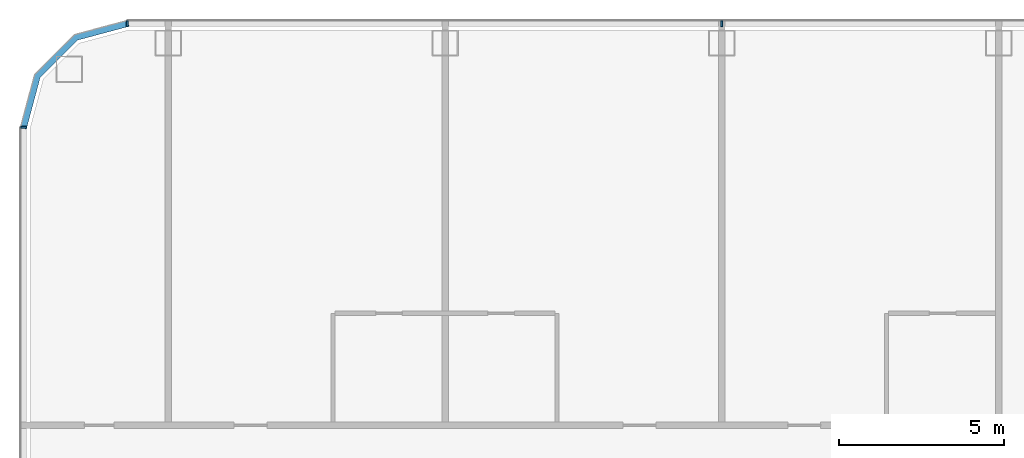
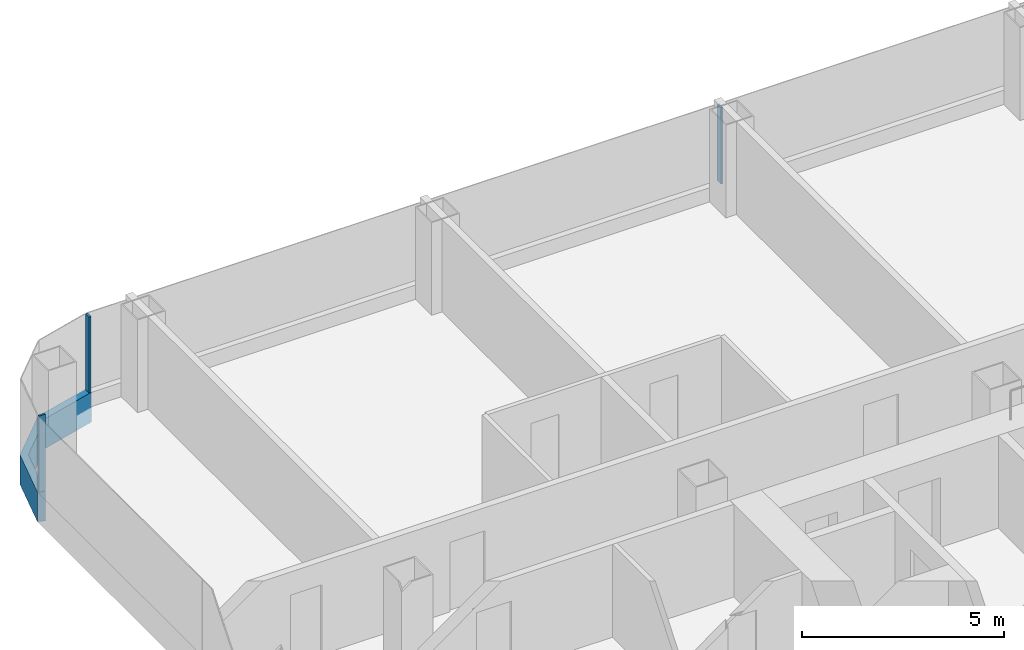
# One storey, part 7 of 29: 4 members, 3 elements without a shape of their own.
"""IFC4 building model written with IfcOpenShell, lengths in metres."""

import ifcopenshell
import ifcopenshell.guid

model = None  # the IFC model being written
_history = None  # IfcOwnerHistory: only IFC2X3 demands one
_inside = {}  # id of a spatial element -> (the spatial element, [elements in it])
_under = {}  # id of a project, library or spatial element -> (it, [spatial elements below it])
_declared = {}  # id of a project -> (the project, [libraries it declares])
_typed = {}  # id of a type object -> (the type object, [elements of that type])
_made_of = {}  # id of a material, layer set ... -> (it, [elements and type objects made of it])


def new_model(schema):
    """Start an empty IFC model of exactly this schema.

    Asked for "IFC4X3", IfcOpenShell would pick the latest addendum, in which some entities
    have other attributes; the version numbers below select the first issue.
    IFC2X3 requires an IfcOwnerHistory on every rooted entity: one is made here for all.
    """
    global model, _history
    if schema == "IFC4X3":
        model = ifcopenshell.file(schema_version=(4, 3, 0, 0))
    else:
        model = ifcopenshell.file(schema=schema)
    _inside.clear()
    _under.clear()
    _declared.clear()
    _typed.clear()
    _made_of.clear()
    _history = None
    if model.schema == "IFC2X3":
        org = make("IfcOrganization", Name="unknown")
        user = make(
            "IfcPersonAndOrganization",
            ThePerson=make("IfcPerson", FamilyName="unknown"),
            TheOrganization=org,
        )
        app = make(
            "IfcApplication",
            ApplicationDeveloper=org,
            Version="unknown",
            ApplicationFullName="unknown",
            ApplicationIdentifier="unknown",
        )
        _history = make(
            "IfcOwnerHistory",
            OwningUser=user,
            OwningApplication=app,
            ChangeAction="ADDED",
            CreationDate=0,
        )
    return model


def make(cls, **values):
    """One entity of the class cls with the attributes given. An attribute that is None is left unset."""
    return model.create_entity(
        cls, **{name: value for name, value in values.items() if value is not None}
    )


def rooted(cls, **values):
    """An entity with a GlobalId (a new one), such as an element, a storey or a relation."""
    return make(cls, GlobalId=ifcopenshell.guid.new(), OwnerHistory=_history, **values)


def si_unit(unit_type, name, prefix=None):
    """IfcSIUnit, for example si_unit("LENGTHUNIT", "METRE", prefix="MILLI")."""
    return make("IfcSIUnit", UnitType=unit_type, Prefix=prefix, Name=name)


def assignment(units):
    """IfcUnitAssignment: the units of a project."""
    return None if units is None else make("IfcUnitAssignment", Units=units)


def point(xyz):
    """IfcCartesianPoint."""
    return None if xyz is None else make("IfcCartesianPoint", Coordinates=xyz)


def direction(xyz):
    """IfcDirection."""
    return None if xyz is None else make("IfcDirection", DirectionRatios=xyz)


def frame(location, z_axis=None, x_axis=None):
    """IfcAxis2Placement3D, a coordinate frame: its origin and axes. An axis left out is left unset."""
    return make(
        "IfcAxis2Placement3D",
        Location=point(location),
        Axis=direction(z_axis),
        RefDirection=direction(x_axis),
    )


def frame_2d(location, x_axis=None):
    """IfcAxis2Placement2D, a coordinate frame in the plane: its origin and x axis."""
    return make(
        "IfcAxis2Placement2D", Location=point(location), RefDirection=direction(x_axis)
    )


def origin():
    """The frame at (0, 0, 0) with its axes left unset."""
    return frame((0.0, 0.0, 0.0))


def origin_2d():
    """The frame at (0, 0) in the plane with its x axis left unset."""
    return frame_2d((0.0, 0.0))


def place(relative_to, where):
    """IfcLocalPlacement: puts the frame where relative to a parent placement (None: the world)."""
    return make(
        "IfcLocalPlacement", PlacementRelTo=relative_to, RelativePlacement=where
    )


def context(
    kind, dimensions, precision=None, world=None, true_north=None, identifier=None
):
    """IfcGeometricRepresentationContext, for example the 3D "Model" context."""
    return make(
        "IfcGeometricRepresentationContext",
        ContextIdentifier=identifier,
        ContextType=kind,
        CoordinateSpaceDimension=dimensions,
        Precision=precision,
        WorldCoordinateSystem=world,
        TrueNorth=true_north,
    )


def subcontext(parent, identifier, kind, view, scale=None):
    """IfcGeometricRepresentationSubContext, for example "Body" below "Model"."""
    return make(
        "IfcGeometricRepresentationSubContext",
        ContextIdentifier=identifier,
        ContextType=kind,
        ParentContext=parent,
        TargetScale=scale,
        TargetView=view,
    )


def project(units=None, contexts=None):
    """IfcProject with its units and contexts."""
    return rooted(
        "IfcProject",
        Name="project",
        RepresentationContexts=contexts,
        UnitsInContext=assignment(units),
    )


def spatial(cls, under=None, at=None, **own):
    """A site, building, storey or space (cls), placed at a placement, below another one or the project."""
    s = rooted(cls, ObjectPlacement=at, **own)
    if under is not None:
        _under.setdefault(under.id(), (under, []))[1].append(s)
    return s


def polyline(points):
    """IfcPolyline through the points."""
    return make("IfcPolyline", Points=[point(p) for p in points])


def profile(cls, at=None, kind="AREA", **sizes):
    """A parametric profile (cls). Its sizes go by their IFC names, for example OverallWidth=200.0."""
    return make(cls, ProfileType=kind, Position=at, **sizes)


def rectangle(**sizes):
    """IfcRectangleProfileDef."""
    return profile("IfcRectangleProfileDef", **sizes)


def outline(outer, holes=None, kind="AREA"):
    """IfcArbitraryClosedProfileDef: a profile drawn as a closed curve; with holes, ...WithVoids."""
    if holes is None:
        return make("IfcArbitraryClosedProfileDef", ProfileType=kind, OuterCurve=outer)
    return make(
        "IfcArbitraryProfileDefWithVoids",
        ProfileType=kind,
        OuterCurve=outer,
        InnerCurves=holes,
    )


def extrude(swept, where, along, depth):
    """IfcExtrudedAreaSolid: the profile swept, set in the frame where, extruded along a direction by depth."""
    return make(
        "IfcExtrudedAreaSolid",
        SweptArea=swept,
        Position=where,
        ExtrudedDirection=direction(along),
        Depth=depth,
    )


def shape(context_of_items, identifier, shape_type, items):
    """IfcShapeRepresentation: the items that make up one representation, for example the "Body"."""
    return make(
        "IfcShapeRepresentation",
        ContextOfItems=context_of_items,
        RepresentationIdentifier=identifier,
        RepresentationType=shape_type,
        Items=items,
    )


def material(Name=None, Category=None):
    """IfcMaterial."""
    return make("IfcMaterial", Name=Name, Category=Category)


def layer(
    of_material, thickness, ventilated=None, Name=None, Category=None, Priority=None
):
    """IfcMaterialLayer: one layer of a wall or slab, of a material (None: an air gap)."""
    return make(
        "IfcMaterialLayer",
        Material=of_material,
        LayerThickness=thickness,
        IsVentilated=ventilated,
        Name=Name,
        Category=Category,
        Priority=Priority,
    )


def layer_set(layers, Name=None):
    """IfcMaterialLayerSet."""
    return make("IfcMaterialLayerSet", MaterialLayers=layers, LayerSetName=Name)


def material_profile(
    of_material, cross_section, Name=None, Category=None, Priority=None
):
    """IfcMaterialProfile: a cross section and its material."""
    return make(
        "IfcMaterialProfile",
        Name=Name,
        Material=of_material,
        Profile=cross_section,
        Priority=Priority,
        Category=Category,
    )


def profile_set(profiles, Name=None, composite=None):
    """IfcMaterialProfileSet."""
    return make(
        "IfcMaterialProfileSet",
        Name=Name,
        MaterialProfiles=profiles,
        CompositeProfile=composite,
    )


def made_of(thing, what):
    """Note that an element or type object is made of a material, layer set ...; save() writes the relation."""
    if what is not None:
        _made_of.setdefault(what.id(), (what, []))[1].append(thing)
    return thing


def type_object(cls, material=None, **own):
    """A type object (cls), such as IfcWallType, which elements share."""
    return made_of(rooted(cls, **own), material)


def element(
    cls,
    number,
    at=None,
    inside=None,
    cuts=None,
    type_object=None,
    material=None,
    context=None,
    identifier="Body",
    shape_type=None,
    held_by="IfcProductDefinitionShape",
    body=None,
    shapes=None,
    **own,
):
    """One element of the class cls, such as IfcWall. Its Tag is "e" and its number.

    at: its placement. inside: the storey or other place that contains it. cuts: it is an
    opening in that element (IfcRelVoidsElement). A single representation is given by context,
    identifier, shape_type and body (its items); several are given by shapes. held_by: the class
    of the entity that holds the representations. save() writes the other relations.
    """
    e = rooted(cls, Tag="e%d" % number, ObjectPlacement=at, **own)
    if body is not None:
        shapes = [shape(context, identifier, shape_type, body)]
    if shapes is not None:
        e.Representation = make(held_by, Representations=shapes)
    if inside is not None:
        _inside.setdefault(inside.id(), (inside, []))[1].append(e)
    if cuts is not None:
        rooted(
            "IfcRelVoidsElement", RelatingBuildingElement=cuts, RelatedOpeningElement=e
        )
    if type_object is not None:
        _typed.setdefault(type_object.id(), (type_object, []))[1].append(e)
    return made_of(e, material)


def aggregate(whole, parts):
    """IfcRelAggregates: a whole, such as a stair, and the parts it consists of."""
    return rooted("IfcRelAggregates", RelatingObject=whole, RelatedObjects=parts)


def save(model, path):
    """Write the relations noted so far, then the file.

    IfcRelAggregates (storeys below a building ...), IfcRelContainedInSpatialStructure (elements
    in a storey), IfcRelDefinesByType, IfcRelAssociatesMaterial and IfcRelDeclares: one each for
    every whole, place, type object, material and project.
    """
    for whole, parts in _under.values():
        aggregate(whole, parts)
    for where, things in _inside.values():
        rooted(
            "IfcRelContainedInSpatialStructure",
            RelatedElements=things,
            RelatingStructure=where,
        )
    for kind, things in _typed.values():
        rooted("IfcRelDefinesByType", RelatedObjects=things, RelatingType=kind)
    for what, things in _made_of.values():
        rooted("IfcRelAssociatesMaterial", RelatedObjects=things, RelatingMaterial=what)
    for by, libraries in _declared.values():
        rooted("IfcRelDeclares", RelatingContext=by, RelatedDefinitions=libraries)
    model.write(path)


model = new_model("IFC4")

# Units and contexts
model_context = context("Model", 3, precision=1e-05, world=origin(), true_north=direction((0.0, 1.0)))
body_context = subcontext(model_context, "Body", "Model", "MODEL_VIEW")
ifc_project = project(units=[si_unit("LENGTHUNIT", "METRE"), si_unit("AREAUNIT", "SQUARE_METRE"), si_unit("VOLUMEUNIT", "CUBIC_METRE"), si_unit("PLANEANGLEUNIT", "RADIAN"), si_unit("MASSUNIT", "GRAM", prefix="KILO")], contexts=[model_context])

# Site, building, storey
site_placement = place(None, origin())
site = spatial("IfcSite", under=ifc_project, at=site_placement, CompositionType="ELEMENT")
building_placement = place(site_placement, origin())
building = spatial("IfcBuilding", under=site, at=building_placement, Name="Hakoniwa Tower and Hamabe Station Hall", CompositionType="ELEMENT")
storey_placement = place(building_placement, frame((0.0, 0.0, 75.39990234375)))
storey = spatial("IfcBuildingStorey", under=building, at=storey_placement, Name="L20", CompositionType="ELEMENT", Elevation=75.39990234375)

# Curtain wall, member
ifc_material_1 = material(Name="Dark low-e laminated glass", Category="glass")
ifc_layer = layer(ifc_material_1, 0.199951171875)
ifc_layer_set = layer_set([ifc_layer], Name="CW-1 UNITISED GUEST")
curtain_wall_type = type_object("IfcCurtainWallType", Name="CW-1 UNITISED GUEST", PredefinedType="NOTDEFINED", material=ifc_layer_set)
curtain_wall_1_placement = place(storey_placement, origin())
curtain_wall_1 = element("IfcCurtainWall", 1, at=curtain_wall_1_placement, inside=storey, type_object=curtain_wall_type, Name="CW-1 curtain wall", PredefinedType="NOTDEFINED")
ifc_material_2 = material(Name="Aluminium 6063-T5 black anodised", Category="aluminium")
ifc_material_profile_1 = material_profile(ifc_material_2, rectangle(XDim=0.199951171875, YDim=0.89990234375, at=origin_2d()), Name="CW SLAB-EDGE BAND 900X200")
ifc_profile_set_1 = profile_set([ifc_material_profile_1], Name="Aluminium 6063-T5 black anodised")
member_type_1 = type_object("IfcMemberType", Name="CW SLAB-EDGE BAND 900X200", PredefinedType="USERDEFINED", material=ifc_profile_set_1)
member_1_placement = place(storey_placement, frame((0.0, 0.0, -0.5498046875)))
member_1 = element("IfcMember", 2, at=member_1_placement, type_object=member_type_1, Name="CW-1 transom", ObjectType="TRANSOM", PredefinedType="USERDEFINED", context=body_context, shape_type="SweptSolid", body=[
    extrude(outline(polyline([(-43.239501953125, 23.550048828125), (-44.855224609375, 23.116943359375), (-46.067138671875, 21.9052734375), (-46.5, 20.28955078125), (-46.306884765625, 20.23779296875), (-45.8876953125, 21.8017578125), (-44.751708984375, 22.937744140625), (-43.187744140625, 23.35693359375), (-43.239501953125, 23.550048828125)])), origin(), (0.0, 0.0, 1.0), 0.89990234375),
])
aggregate(curtain_wall_1, [member_1])

# Curtain wall, members
curtain_wall_2_placement = place(storey_placement, origin())
curtain_wall_2 = element("IfcCurtainWall", 3, at=curtain_wall_2_placement, inside=storey, type_object=curtain_wall_type, Name="CW-1 curtain wall", PredefinedType="NOTDEFINED")
ifc_material_3 = material(Name="Aluminium 6063-T5 black anodised", Category="aluminium")
ifc_material_profile_2 = material_profile(ifc_material_3, rectangle(XDim=0.06005859375, YDim=0.179931640625, at=origin_2d()), Name="CW-1 MULLION 60X180")
ifc_profile_set_2 = profile_set([ifc_material_profile_2], Name="Aluminium 6063-T5 black anodised")
member_type_2 = type_object("IfcMemberType", Name="CW-1 MULLION 60X180", PredefinedType="MULLION", material=ifc_profile_set_2)
member_2_placement = place(storey_placement, frame((-25.199951171875, 23.431884765625, 0.35009765625), z_axis=(0.0, 0.0, 1.0), x_axis=(-1.0, 0.0, 0.0)))
member_2 = element("IfcMember", 4, at=member_2_placement, type_object=member_type_2, Name="CW-1 mullion", PredefinedType="MULLION", context=body_context, shape_type="SweptSolid", body=[
    extrude(rectangle(XDim=0.06005859375, YDim=0.179931640625, at=origin_2d()), origin(), (0.0, 0.0, 1.0), 2.300048828125),
])
member_3_placement = place(storey_placement, frame((-43.239501953125, 23.431884765625, 0.35009765625), z_axis=(0.0, 0.0, 1.0), x_axis=(-1.0, 0.0, 0.0)))
member_3 = element("IfcMember", 5, at=member_3_placement, type_object=member_type_2, Name="CW-1 mullion", PredefinedType="MULLION", context=body_context, shape_type="SweptSolid", body=[
    extrude(rectangle(XDim=0.06005859375, YDim=0.179931640625, at=origin_2d()), origin(), (0.0, 0.0, 1.0), 2.300048828125),
])
aggregate(curtain_wall_2, [member_2, member_3])

# Curtain wall, member
curtain_wall_3_placement = place(storey_placement, origin())
curtain_wall_3 = element("IfcCurtainWall", 6, at=curtain_wall_3_placement, inside=storey, type_object=curtain_wall_type, Name="CW-1 curtain wall", PredefinedType="NOTDEFINED")
member_4_placement = place(storey_placement, frame((-46.382080078125, 20.28955078125, 0.35009765625), z_axis=(0.0, 0.0, 1.0), x_axis=(0.0, -1.0, 0.0)))
member_4 = element("IfcMember", 7, at=member_4_placement, type_object=member_type_2, Name="CW-1 mullion", PredefinedType="MULLION", context=body_context, shape_type="SweptSolid", body=[
    extrude(rectangle(XDim=0.06005859375, YDim=0.179931640625, at=origin_2d()), origin(), (0.0, 0.0, 1.0), 2.300048828125),
])
aggregate(curtain_wall_3, [member_4])

save(model, "model.ifc")
